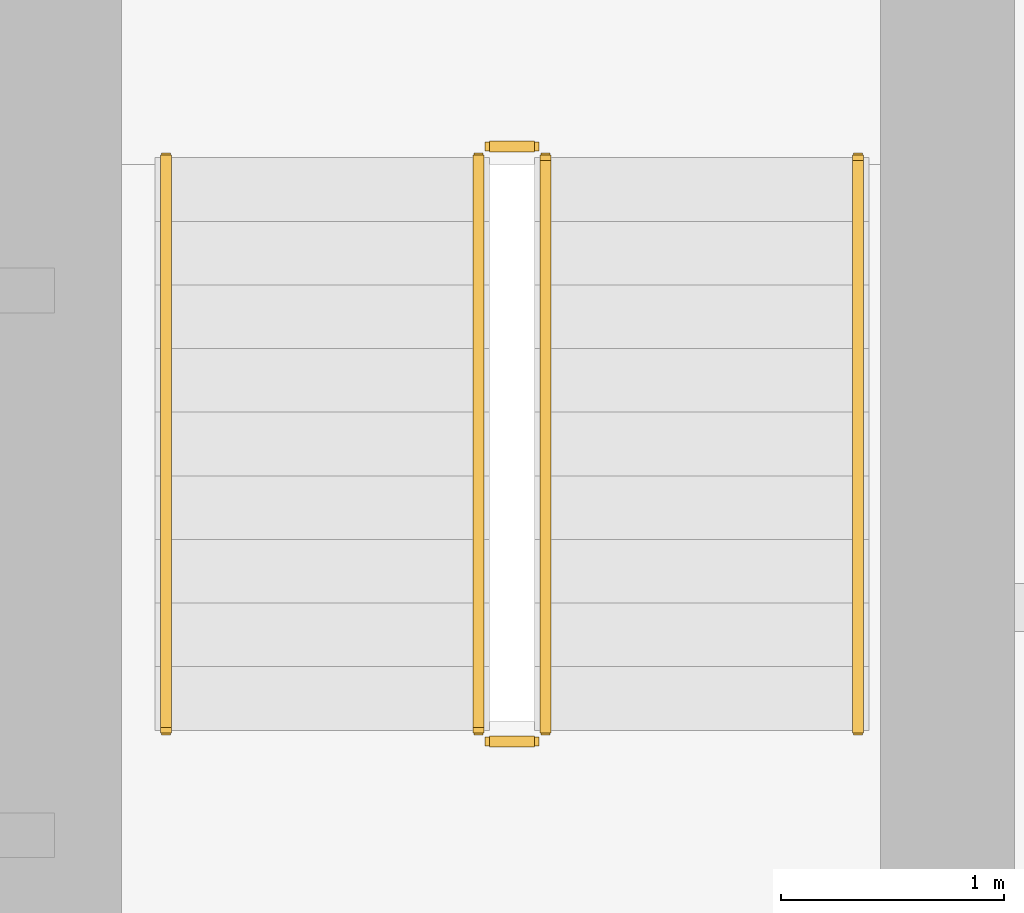
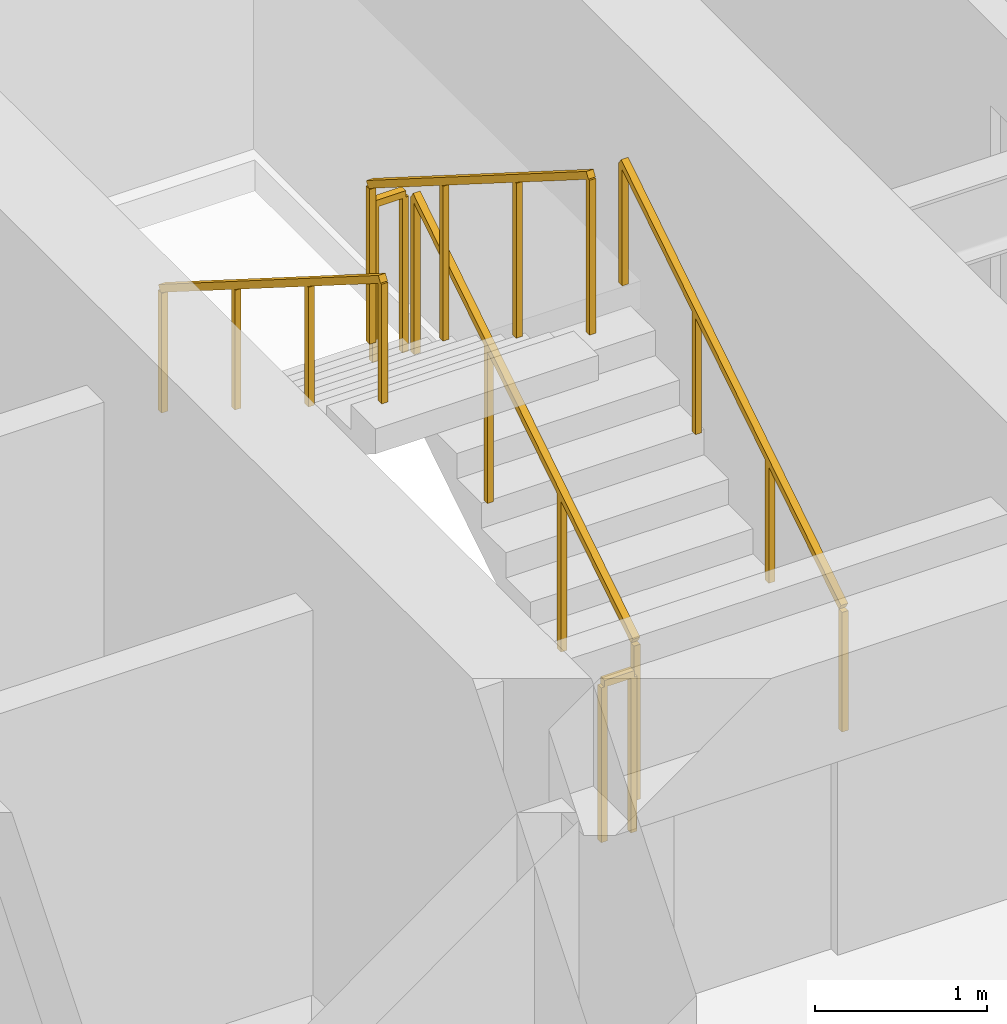
# One storey, part 26 of 26: 6 railings.
"""IFC4 building model written with IfcOpenShell, lengths in metres."""

from ifc_helpers import new_model, si_unit, direction, frame, origin, origin_2d, place, context, subcontext, project, spatial, rectangle, extrude, material, type_object, element, save


model = new_model("IFC4")

# Units and contexts
model_context = context("Model", 3, precision=1e-05, world=origin(), true_north=direction((0.0, 1.0)))
body_context = subcontext(model_context, "Body", "Model", "MODEL_VIEW")
ifc_project = project(units=[si_unit("LENGTHUNIT", "METRE"), si_unit("AREAUNIT", "SQUARE_METRE"), si_unit("VOLUMEUNIT", "CUBIC_METRE"), si_unit("PLANEANGLEUNIT", "RADIAN"), si_unit("MASSUNIT", "GRAM", prefix="KILO")], contexts=[model_context])

# Site, building, storey
site_placement = place(None, origin())
site = spatial("IfcSite", under=ifc_project, at=site_placement, CompositionType="ELEMENT")
building_placement = place(site_placement, origin())
building = spatial("IfcBuilding", under=site, at=building_placement, Name="Sarneth Arch Tower", CompositionType="ELEMENT")
storey_placement = place(building_placement, frame((0.0, 0.0, 46.199951171875)))
storey = spatial("IfcBuildingStorey", under=building, at=storey_placement, Name="L10", CompositionType="ELEMENT", Elevation=46.199951171875)

# Railings
ifc_material_1 = material(Name="Brushed Stainless Steel 304 tubular handrail", Category="steel")
railing_type_1 = type_object("IfcRailingType", Name="RAIL-HANDRAIL-900", PredefinedType="HANDRAIL", material=ifc_material_1)
railing_1_placement = place(storey_placement, frame((58.60009765625, 41.449951171875, 0.179931640625)))
element("IfcRailing", 1, at=railing_1_placement, inside=storey, type_object=railing_type_1, Name="L10 ST-2 stair handrail 1", PredefinedType="HANDRAIL", context=body_context, shape_type="SweptSolid", body=[
    extrude(rectangle(XDim=0.048095703125, YDim=0.048095703125, at=origin_2d()), frame((0.0, 0.0, 0.8759765625), z_axis=(0.0, 0.845465955043, 0.534029323973), x_axis=(-1.0, 0.0, 0.0)), (0.0, 0.0, 1.0), 3.03369140625),
    extrude(rectangle(XDim=0.0419921875, YDim=0.0419921875, at=origin_2d()), origin(), (0.0, 0.0, 1.0), 0.851806640625),
    extrude(rectangle(XDim=0.0419921875, YDim=0.0419921875, at=origin_2d()), frame((0.0, 0.85498046875, 0.5400390625)), (0.0, 0.0, 1.0), 0.851806640625),
    extrude(rectangle(XDim=0.0419921875, YDim=0.0419921875, at=origin_2d()), frame((0.0, 1.7099609375, 1.080078125)), (0.0, 0.0, 1.0), 0.851806640625),
    extrude(rectangle(XDim=0.0419921875, YDim=0.0419921875, at=origin_2d()), frame((0.0, 2.56494140625, 1.6201171875)), (0.0, 0.0, 1.0), 0.851806640625),
])
railing_2_placement = place(storey_placement, frame((55.5, 44.014892578125, 1.97998046875)))
element("IfcRailing", 2, at=railing_2_placement, inside=storey, type_object=railing_type_1, Name="L10 ST-2 stair handrail 2", PredefinedType="HANDRAIL", context=body_context, shape_type="SweptSolid", body=[
    extrude(rectangle(XDim=0.048095703125, YDim=0.048095703125, at=origin_2d()), frame((0.0, 0.0, 0.8759765625), z_axis=(0.0, -0.845465955043, 0.534029323973), x_axis=(1.0, 0.0, 0.0)), (0.0, 0.0, 1.0), 3.03369140625),
    extrude(rectangle(XDim=0.0419921875, YDim=0.0419921875, at=origin_2d()), origin(), (0.0, 0.0, 1.0), 0.851806640625),
    extrude(rectangle(XDim=0.0419921875, YDim=0.0419921875, at=origin_2d()), frame((0.0, -0.85498046875, 0.5400390625)), (0.0, 0.0, 1.0), 0.851806640625),
    extrude(rectangle(XDim=0.0419921875, YDim=0.0419921875, at=origin_2d()), frame((0.0, -1.7099609375, 1.080078125)), (0.0, 0.0, 1.0), 0.851806640625),
    extrude(rectangle(XDim=0.0419921875, YDim=0.0419921875, at=origin_2d()), frame((0.0, -2.56494140625, 1.6201171875)), (0.0, 0.0, 1.0), 0.851806640625),
])
ifc_material_2 = material(Name="Painted Steel S275 stair well guard", Category="steel")
railing_type_2 = type_object("IfcRailingType", Name="RAIL-STAIR-GUARD", PredefinedType="GUARDRAIL", material=ifc_material_2)
railing_3_placement = place(storey_placement, frame((57.199951171875, 41.449951171875, 0.179931640625)))
element("IfcRailing", 3, at=railing_3_placement, inside=storey, type_object=railing_type_2, Name="L10 ST-2 stair guard 1", PredefinedType="GUARDRAIL", context=body_context, shape_type="SweptSolid", body=[
    extrude(rectangle(XDim=0.048095703125, YDim=0.048095703125, at=origin_2d()), frame((0.0, 0.0, 1.1259765625), z_axis=(0.0, 0.845465955043, 0.534029323973), x_axis=(-1.0, 0.0, 0.0)), (0.0, 0.0, 1.0), 3.03369140625),
    extrude(rectangle(XDim=0.0419921875, YDim=0.0419921875, at=origin_2d()), origin(), (0.0, 0.0, 1.0), 1.101806640625),
    extrude(rectangle(XDim=0.0419921875, YDim=0.0419921875, at=origin_2d()), frame((0.0, 0.85498046875, 0.5400390625)), (0.0, 0.0, 1.0), 1.101806640625),
    extrude(rectangle(XDim=0.0419921875, YDim=0.0419921875, at=origin_2d()), frame((0.0, 1.7099609375, 1.080078125)), (0.0, 0.0, 1.0), 1.101806640625),
    extrude(rectangle(XDim=0.0419921875, YDim=0.0419921875, at=origin_2d()), frame((0.0, 2.56494140625, 1.6201171875)), (0.0, 0.0, 1.0), 1.101806640625),
])
railing_4_placement = place(storey_placement, frame((57.14990234375, 44.06494140625, 1.800048828125)))
element("IfcRailing", 4, at=railing_4_placement, inside=storey, type_object=railing_type_2, Name="L10 ST-2 stair guard 2", PredefinedType="GUARDRAIL", context=body_context, shape_type="SweptSolid", body=[
    extrude(rectangle(XDim=0.048095703125, YDim=0.048095703125, at=origin_2d()), frame((0.0, 0.0, 1.1259765625), z_axis=(-1.0, 0.0, 0.0), x_axis=(0.0, -1.0, 0.0)), (0.0, 0.0, 1.0), 0.199951171875),
    extrude(rectangle(XDim=0.0419921875, YDim=0.0419921875, at=origin_2d()), origin(), (0.0, 0.0, 1.0), 1.101806640625),
    extrude(rectangle(XDim=0.0419921875, YDim=0.0419921875, at=origin_2d()), frame((-0.199951171875, 0.0, 0.0)), (0.0, 0.0, 1.0), 1.101806640625),
])
railing_5_placement = place(storey_placement, frame((56.89990234375, 44.014892578125, 1.97998046875)))
element("IfcRailing", 5, at=railing_5_placement, inside=storey, type_object=railing_type_2, Name="L10 ST-2 stair guard 3", PredefinedType="GUARDRAIL", context=body_context, shape_type="SweptSolid", body=[
    extrude(rectangle(XDim=0.048095703125, YDim=0.048095703125, at=origin_2d()), frame((0.0, 0.0, 1.1259765625), z_axis=(0.0, -0.845465955043, 0.534029323973), x_axis=(1.0, 0.0, 0.0)), (0.0, 0.0, 1.0), 3.03369140625),
    extrude(rectangle(XDim=0.0419921875, YDim=0.0419921875, at=origin_2d()), origin(), (0.0, 0.0, 1.0), 1.101806640625),
    extrude(rectangle(XDim=0.0419921875, YDim=0.0419921875, at=origin_2d()), frame((0.0, -0.85498046875, 0.5400390625)), (0.0, 0.0, 1.0), 1.101806640625),
    extrude(rectangle(XDim=0.0419921875, YDim=0.0419921875, at=origin_2d()), frame((0.0, -1.7099609375, 1.080078125)), (0.0, 0.0, 1.0), 1.101806640625),
    extrude(rectangle(XDim=0.0419921875, YDim=0.0419921875, at=origin_2d()), frame((0.0, -2.56494140625, 1.6201171875)), (0.0, 0.0, 1.0), 1.101806640625),
])
railing_6_placement = place(storey_placement, frame((57.14990234375, 41.39990234375, 0.0)))
element("IfcRailing", 6, at=railing_6_placement, inside=storey, type_object=railing_type_2, Name="L10 ST-2 stair guard 4", PredefinedType="GUARDRAIL", context=body_context, shape_type="SweptSolid", body=[
    extrude(rectangle(XDim=0.048095703125, YDim=0.048095703125, at=origin_2d()), frame((0.0, 0.0, 1.1259765625), z_axis=(-1.0, 0.0, 0.0), x_axis=(0.0, -1.0, 0.0)), (0.0, 0.0, 1.0), 0.199951171875),
    extrude(rectangle(XDim=0.0419921875, YDim=0.0419921875, at=origin_2d()), origin(), (0.0, 0.0, 1.0), 1.101806640625),
    extrude(rectangle(XDim=0.0419921875, YDim=0.0419921875, at=origin_2d()), frame((-0.199951171875, 0.0, 0.0)), (0.0, 0.0, 1.0), 1.101806640625),
])

save(model, "model.ifc")
